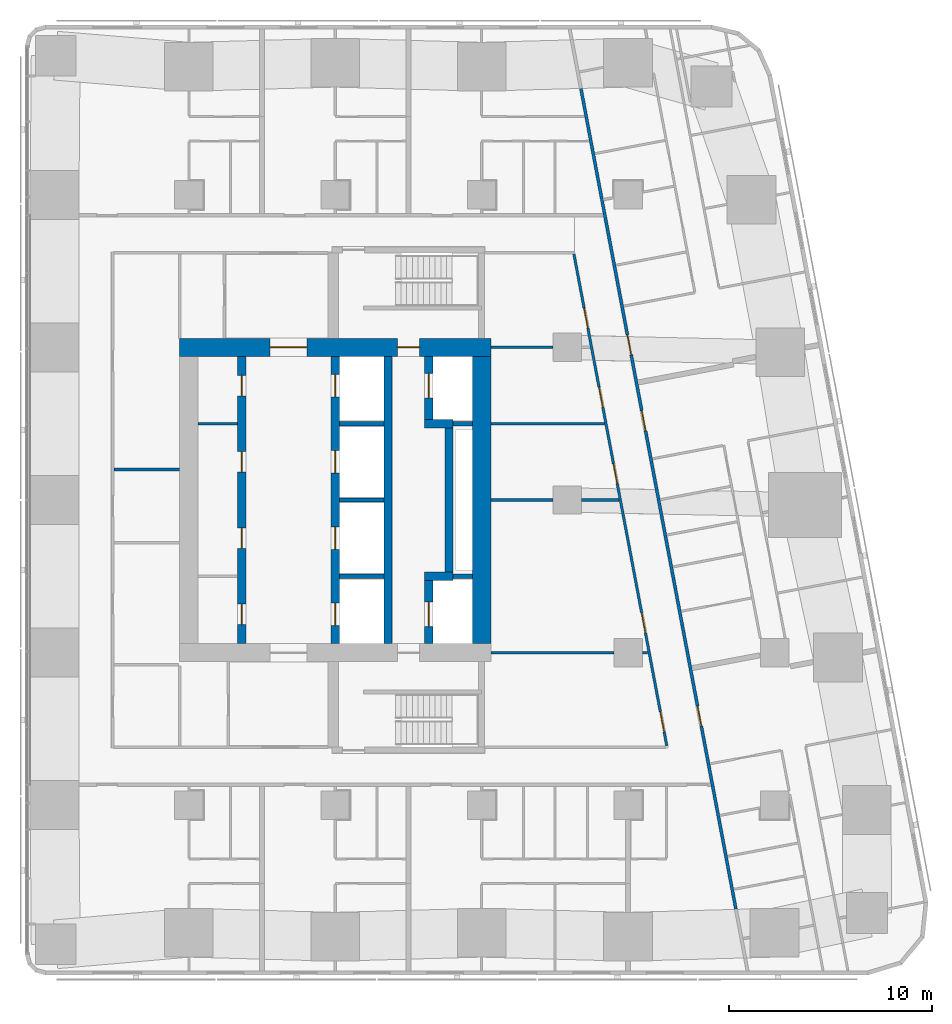
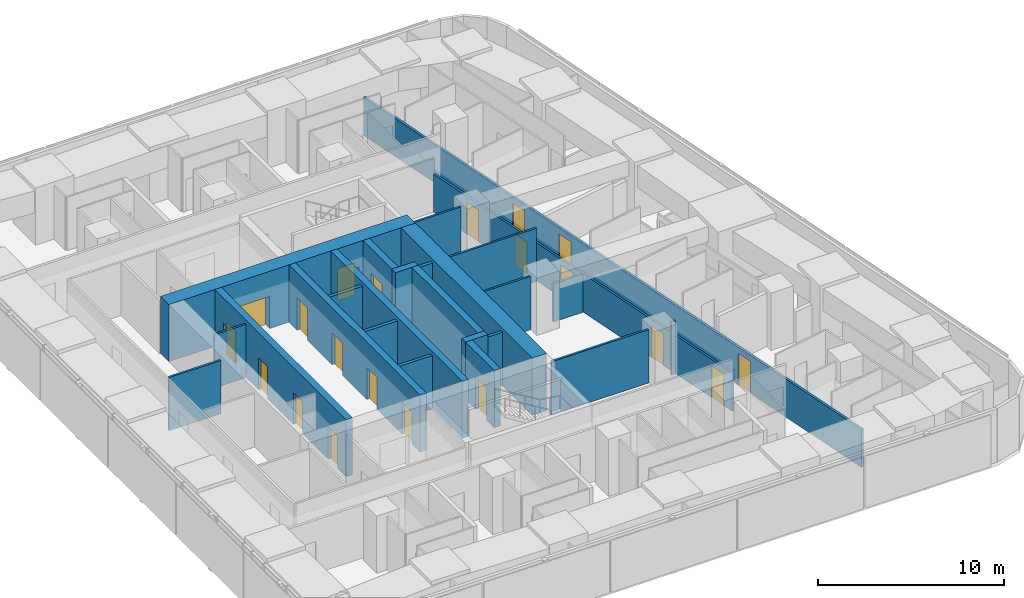
# One storey, part 9 of 17: 25 walls, 20 doors, 20 openings.
"""IFC4 building model written with IfcOpenShell, lengths in metres."""

from ifc_helpers import new_model, si_unit, direction, frame, frame_2d, origin, place, context, subcontext, project, spatial, rectangle, extrude, material, layer, layer_set, type_object, element, fill, save


model = new_model("IFC4")

# Units and contexts
model_context = context("Model", 3, precision=1e-05, world=origin(), true_north=direction((0.0, 1.0)))
body_context = subcontext(model_context, "Body", "Model", "MODEL_VIEW")
ifc_project = project(units=[si_unit("LENGTHUNIT", "METRE"), si_unit("AREAUNIT", "SQUARE_METRE"), si_unit("VOLUMEUNIT", "CUBIC_METRE"), si_unit("PLANEANGLEUNIT", "RADIAN"), si_unit("MASSUNIT", "GRAM", prefix="KILO")], contexts=[model_context])

# Site, building, storey
site_placement = place(None, origin())
site = spatial("IfcSite", under=ifc_project, at=site_placement, CompositionType="ELEMENT")
building_placement = place(site_placement, origin())
building = spatial("IfcBuilding", under=site, at=building_placement, Name="Sheger Commons Tower", CompositionType="ELEMENT")
storey_placement = place(building_placement, frame((0.0, 0.0, 204.949951171875)))
storey = spatial("IfcBuildingStorey", under=building, at=storey_placement, Name="L52", CompositionType="ELEMENT", Elevation=204.949951171875)

# Wall, openings, doors
ifc_material_1 = material(Name="Concrete C50/60", Category="concrete")
ifc_layer_1 = layer(ifc_material_1, 0.39990234375)
ifc_layer_set_1 = layer_set([ifc_layer_1], Name="CORE INNER WALL 400")
wall_type_1 = type_object("IfcWallType", Name="CORE INNER WALL 400", PredefinedType="SHEAR", material=ifc_layer_set_1)
wall_1_placement = place(storey_placement, frame((17.0, 15.449951171875, 0.0), z_axis=(0.0, 0.0, 1.0), x_axis=(0.0, 1.0, 0.0)))
wall_1 = element("IfcWall", 1, at=wall_1_placement, inside=storey, type_object=wall_type_1, Name="Core inner wall A L52", PredefinedType="SHEAR", context=body_context, shape_type="SweptSolid", body=[
    extrude(rectangle(XDim=14.10009765625, YDim=0.39990234375, at=frame_2d((7.050048828125, 0.0))), origin(), (0.0, 0.0, 1.0), 3.75),
])
opening_1_placement = place(wall_1_placement, frame((0.925048828125, 0.0, 0.0)))
opening_1 = element("IfcOpeningElement", 2, at=opening_1_placement, cuts=wall_1, Name="Opening D4", PredefinedType="OPENING", context=body_context, shape_type="SweptSolid", body=[
    extrude(rectangle(XDim=1.0, YDim=2.10009765625, at=frame_2d((0.5, 1.050048828125))), frame((0.0, 0.2099609375, 0.0), z_axis=(0.0, -1.0, 0.0), x_axis=(1.0, 0.0, 0.0)), (0.0, 0.0, 1.0), 0.419921875),
])
opening_2_placement = place(wall_1_placement, frame((4.675048828125, 0.0, 0.0)))
opening_2 = element("IfcOpeningElement", 3, at=opening_2_placement, cuts=wall_1, Name="Opening D4", PredefinedType="OPENING", context=body_context, shape_type="SweptSolid", body=[
    extrude(rectangle(XDim=1.0, YDim=2.10009765625, at=frame_2d((0.5, 1.050048828125))), frame((0.0, 0.2099609375, 0.0), z_axis=(0.0, -1.0, 0.0), x_axis=(1.0, 0.0, 0.0)), (0.0, 0.0, 1.0), 0.419921875),
])
opening_3_placement = place(wall_1_placement, frame((8.425048828125, 0.0, 0.0)))
opening_3 = element("IfcOpeningElement", 4, at=opening_3_placement, cuts=wall_1, Name="Opening D4", PredefinedType="OPENING", context=body_context, shape_type="SweptSolid", body=[
    extrude(rectangle(XDim=1.0, YDim=2.10009765625, at=frame_2d((0.5, 1.050048828125))), frame((0.0, 0.2099609375, 0.0), z_axis=(0.0, -1.0, 0.0), x_axis=(1.0, 0.0, 0.0)), (0.0, 0.0, 1.0), 0.419921875),
])
opening_4_placement = place(wall_1_placement, frame((12.175048828125, 0.0, 0.0)))
opening_4 = element("IfcOpeningElement", 5, at=opening_4_placement, cuts=wall_1, Name="Opening D4", PredefinedType="OPENING", context=body_context, shape_type="SweptSolid", body=[
    extrude(rectangle(XDim=1.0, YDim=2.10009765625, at=frame_2d((0.5, 1.050048828125))), frame((0.0, 0.2099609375, 0.0), z_axis=(0.0, -1.0, 0.0), x_axis=(1.0, 0.0, 0.0)), (0.0, 0.0, 1.0), 0.419921875),
])
ifc_material_2 = material(Name="Steel door set, fire rated", Category="steel")
door_type_1 = type_object("IfcDoorType", Name="SERVICE DOOR 1000x2100", OperationType="NOTDEFINED", PredefinedType="DOOR", material=ifc_material_2)
door_1_placement = place(opening_1_placement, origin())
door_1 = element("IfcDoor", 6, at=door_1_placement, inside=storey, type_object=door_type_1, Name="Staff WC door", OperationType="SINGLE_SWING_LEFT", OverallHeight=2.10009765625, OverallWidth=1.0, PredefinedType="DOOR", context=body_context, shape_type="SweptSolid", body=[
    extrude(rectangle(XDim=1.0, YDim=2.10009765625, at=frame_2d((0.5, 1.050048828125))), frame((0.0, 0.02490234375, 0.0), z_axis=(0.0, -1.0, 0.0), x_axis=(1.0, 0.0, 0.0)), (0.0, 0.0, 1.0), 0.050048828125),
])
fill(opening_1, door_1)
door_2_placement = place(opening_2_placement, origin())
door_2 = element("IfcDoor", 7, at=door_2_placement, inside=storey, type_object=door_type_1, Name="Recycling store door", OperationType="SINGLE_SWING_LEFT", OverallHeight=2.10009765625, OverallWidth=1.0, PredefinedType="DOOR", context=body_context, shape_type="SweptSolid", body=[
    extrude(rectangle(XDim=1.0, YDim=2.10009765625, at=frame_2d((0.5, 1.050048828125))), frame((0.0, 0.02490234375, 0.0), z_axis=(0.0, -1.0, 0.0), x_axis=(1.0, 0.0, 0.0)), (0.0, 0.0, 1.0), 0.050048828125),
])
fill(opening_2, door_2)
door_3_placement = place(opening_3_placement, origin())
door_3 = element("IfcDoor", 8, at=door_3_placement, inside=storey, type_object=door_type_1, Name="Recycling store door", OperationType="SINGLE_SWING_RIGHT", OverallHeight=2.10009765625, OverallWidth=1.0, PredefinedType="DOOR", context=body_context, shape_type="SweptSolid", body=[
    extrude(rectangle(XDim=1.0, YDim=2.10009765625, at=frame_2d((0.5, 1.050048828125))), frame((0.0, 0.02490234375, 0.0), z_axis=(0.0, -1.0, 0.0), x_axis=(1.0, 0.0, 0.0)), (0.0, 0.0, 1.0), 0.050048828125),
])
fill(opening_3, door_3)
door_4_placement = place(opening_4_placement, origin())
door_4 = element("IfcDoor", 9, at=door_4_placement, inside=storey, type_object=door_type_1, Name="IT and telecom room door", OperationType="SINGLE_SWING_RIGHT", OverallHeight=2.10009765625, OverallWidth=1.0, PredefinedType="DOOR", context=body_context, shape_type="SweptSolid", body=[
    extrude(rectangle(XDim=1.0, YDim=2.10009765625, at=frame_2d((0.5, 1.050048828125))), frame((0.0, 0.02490234375, 0.0), z_axis=(0.0, -1.0, 0.0), x_axis=(1.0, 0.0, 0.0)), (0.0, 0.0, 1.0), 0.050048828125),
])
fill(opening_4, door_4)

wall_2_placement = place(storey_placement, frame((21.60009765625, 15.449951171875, 0.0), z_axis=(0.0, 0.0, 1.0), x_axis=(0.0, 1.0, 0.0)))
wall_2 = element("IfcWall", 10, at=wall_2_placement, inside=storey, type_object=wall_type_1, Name="Core inner wall L L52", PredefinedType="SHEAR", context=body_context, shape_type="SweptSolid", body=[
    extrude(rectangle(XDim=14.10009765625, YDim=0.39990234375, at=frame_2d((7.050048828125, 0.0))), origin(), (0.0, 0.0, 1.0), 3.75),
])
opening_5_placement = place(wall_2_placement, frame((0.875, 0.0, 0.0)))
opening_5 = element("IfcOpeningElement", 11, at=opening_5_placement, cuts=wall_2, Name="Opening LD", PredefinedType="OPENING", context=body_context, shape_type="SweptSolid", body=[
    extrude(rectangle(XDim=1.10009765625, YDim=2.10009765625, at=frame_2d((0.550048828125, 1.050048828125))), frame((0.0, 0.2099609375, 0.0), z_axis=(0.0, -1.0, 0.0), x_axis=(1.0, 0.0, 0.0)), (0.0, 0.0, 1.0), 0.419921875),
])
opening_6_placement = place(wall_2_placement, frame((4.625, 0.0, 0.0)))
opening_6 = element("IfcOpeningElement", 12, at=opening_6_placement, cuts=wall_2, Name="Opening LD", PredefinedType="OPENING", context=body_context, shape_type="SweptSolid", body=[
    extrude(rectangle(XDim=1.10009765625, YDim=2.10009765625, at=frame_2d((0.550048828125, 1.050048828125))), frame((0.0, 0.2099609375, 0.0), z_axis=(0.0, -1.0, 0.0), x_axis=(1.0, 0.0, 0.0)), (0.0, 0.0, 1.0), 0.419921875),
])
opening_7_placement = place(wall_2_placement, frame((8.375, 0.0, 0.0)))
opening_7 = element("IfcOpeningElement", 13, at=opening_7_placement, cuts=wall_2, Name="Opening LD", PredefinedType="OPENING", context=body_context, shape_type="SweptSolid", body=[
    extrude(rectangle(XDim=1.10009765625, YDim=2.10009765625, at=frame_2d((0.550048828125, 1.050048828125))), frame((0.0, 0.2099609375, 0.0), z_axis=(0.0, -1.0, 0.0), x_axis=(1.0, 0.0, 0.0)), (0.0, 0.0, 1.0), 0.419921875),
])
opening_8_placement = place(wall_2_placement, frame((12.125, 0.0, 0.0)))
opening_8 = element("IfcOpeningElement", 14, at=opening_8_placement, cuts=wall_2, Name="Opening LD", PredefinedType="OPENING", context=body_context, shape_type="SweptSolid", body=[
    extrude(rectangle(XDim=1.10009765625, YDim=2.10009765625, at=frame_2d((0.550048828125, 1.050048828125))), frame((0.0, 0.2099609375, 0.0), z_axis=(0.0, -1.0, 0.0), x_axis=(1.0, 0.0, 0.0)), (0.0, 0.0, 1.0), 0.419921875),
])
ifc_material_3 = material(Name="Steel door set, fire rated", Category="steel")
door_type_2 = type_object("IfcDoorType", Name="LIFT LANDING DOOR 1100x2100", OperationType="DOUBLE_DOOR_SLIDING", PredefinedType="DOOR", material=ifc_material_3)
door_5_placement = place(opening_5_placement, origin())
door_5 = element("IfcDoor", 15, at=door_5_placement, inside=storey, type_object=door_type_2, Name="Lift LB1 landing door", OperationType="DOUBLE_DOOR_SLIDING", OverallHeight=2.10009765625, OverallWidth=1.10009765625, PredefinedType="DOOR", context=body_context, shape_type="SweptSolid", body=[
    extrude(rectangle(XDim=1.10009765625, YDim=2.10009765625, at=frame_2d((0.550048828125, 1.050048828125))), frame((0.0, 0.02490234375, 0.0), z_axis=(0.0, -1.0, 0.0), x_axis=(1.0, 0.0, 0.0)), (0.0, 0.0, 1.0), 0.050048828125),
])
fill(opening_5, door_5)
door_6_placement = place(opening_6_placement, origin())
door_6 = element("IfcDoor", 16, at=door_6_placement, inside=storey, type_object=door_type_2, Name="Lift LB2 landing door", OperationType="DOUBLE_DOOR_SLIDING", OverallHeight=2.10009765625, OverallWidth=1.10009765625, PredefinedType="DOOR", context=body_context, shape_type="SweptSolid", body=[
    extrude(rectangle(XDim=1.10009765625, YDim=2.10009765625, at=frame_2d((0.550048828125, 1.050048828125))), frame((0.0, 0.02490234375, 0.0), z_axis=(0.0, -1.0, 0.0), x_axis=(1.0, 0.0, 0.0)), (0.0, 0.0, 1.0), 0.050048828125),
])
fill(opening_6, door_6)
door_7_placement = place(opening_7_placement, origin())
door_7 = element("IfcDoor", 17, at=door_7_placement, inside=storey, type_object=door_type_2, Name="Lift LB3 landing door", OperationType="DOUBLE_DOOR_SLIDING", OverallHeight=2.10009765625, OverallWidth=1.10009765625, PredefinedType="DOOR", context=body_context, shape_type="SweptSolid", body=[
    extrude(rectangle(XDim=1.10009765625, YDim=2.10009765625, at=frame_2d((0.550048828125, 1.050048828125))), frame((0.0, 0.02490234375, 0.0), z_axis=(0.0, -1.0, 0.0), x_axis=(1.0, 0.0, 0.0)), (0.0, 0.0, 1.0), 0.050048828125),
])
fill(opening_7, door_7)
door_8_placement = place(opening_8_placement, origin())
door_8 = element("IfcDoor", 18, at=door_8_placement, inside=storey, type_object=door_type_2, Name="Lift LB4 landing door", OperationType="DOUBLE_DOOR_SLIDING", OverallHeight=2.10009765625, OverallWidth=1.10009765625, PredefinedType="DOOR", context=body_context, shape_type="SweptSolid", body=[
    extrude(rectangle(XDim=1.10009765625, YDim=2.10009765625, at=frame_2d((0.550048828125, 1.050048828125))), frame((0.0, 0.02490234375, 0.0), z_axis=(0.0, -1.0, 0.0), x_axis=(1.0, 0.0, 0.0)), (0.0, 0.0, 1.0), 0.050048828125),
])
fill(opening_8, door_8)

# Wall
wall_3_placement = place(storey_placement, frame((24.199951171875, 15.449951171875, 0.0), z_axis=(0.0, 0.0, 1.0), x_axis=(0.0, 1.0, 0.0)))
element("IfcWall", 19, at=wall_3_placement, inside=storey, type_object=wall_type_1, Name="Core inner wall B L52", PredefinedType="SHEAR", context=body_context, shape_type="SweptSolid", body=[
    extrude(rectangle(XDim=14.10009765625, YDim=0.39990234375, at=frame_2d((7.050048828125, 0.0))), origin(), (0.0, 0.0, 1.0), 3.75),
])

# Wall, opening, door
wall_4_placement = place(storey_placement, frame((26.199951171875, 15.449951171875, 0.0), z_axis=(0.0, 0.0, 1.0), x_axis=(0.0, 1.0, 0.0)))
wall_4 = element("IfcWall", 20, at=wall_4_placement, inside=storey, type_object=wall_type_1, Name="Core inner wall F L52", PredefinedType="SHEAR", context=body_context, shape_type="SweptSolid", body=[
    extrude(rectangle(XDim=3.10009765625, YDim=0.39990234375, at=frame_2d((1.550048828125, 0.0))), origin(), (0.0, 0.0, 1.0), 3.75),
])
opening_9_placement = place(wall_4_placement, frame((0.824951171875, 0.0, 0.0)))
opening_9 = element("IfcOpeningElement", 21, at=opening_9_placement, cuts=wall_4, Name="Opening LD2", PredefinedType="OPENING", context=body_context, shape_type="SweptSolid", body=[
    extrude(rectangle(XDim=1.199951171875, YDim=2.10009765625, at=frame_2d((0.60009765625, 1.050048828125))), frame((0.0, 0.2099609375, 0.0), z_axis=(0.0, -1.0, 0.0), x_axis=(1.0, 0.0, 0.0)), (0.0, 0.0, 1.0), 0.419921875),
])
ifc_material_4 = material(Name="Steel door set, fire rated", Category="steel")
door_type_3 = type_object("IfcDoorType", Name="FIREFIGHTING LIFT LANDING DOOR 1200x2100", OperationType="DOUBLE_DOOR_SLIDING", PredefinedType="DOOR", material=ifc_material_4)
door_9_placement = place(opening_9_placement, origin())
door_9 = element("IfcDoor", 22, at=door_9_placement, inside=storey, type_object=door_type_3, Name="Lift FL1 landing door", OperationType="DOUBLE_DOOR_SLIDING", OverallHeight=2.10009765625, OverallWidth=1.199951171875, PredefinedType="DOOR", context=body_context, shape_type="SweptSolid", body=[
    extrude(rectangle(XDim=1.199951171875, YDim=2.10009765625, at=frame_2d((0.60009765625, 1.050048828125))), frame((0.0, 0.02490234375, 0.0), z_axis=(0.0, -1.0, 0.0), x_axis=(1.0, 0.0, 0.0)), (0.0, 0.0, 1.0), 0.050048828125),
])
fill(opening_9, door_9)

# Walls
wall_5_placement = place(storey_placement, frame((26.0, 18.75, 0.0), z_axis=(0.0, 0.0, 1.0), x_axis=(1.0, 0.0, 0.0)))
element("IfcWall", 23, at=wall_5_placement, inside=storey, type_object=wall_type_1, Name="Core inner wall F south return L52", PredefinedType="SHEAR", context=body_context, shape_type="SweptSolid", body=[
    extrude(rectangle(XDim=1.39990234375, YDim=0.39990234375, at=frame_2d((0.699951171875, 0.0))), origin(), (0.0, 0.0, 1.0), 3.75),
])
wall_6_placement = place(storey_placement, frame((27.199951171875, 18.949951171875, 0.0), z_axis=(0.0, 0.0, 1.0), x_axis=(0.0, 1.0, 0.0)))
element("IfcWall", 24, at=wall_6_placement, inside=storey, type_object=wall_type_1, Name="Core inner wall F middle L52", PredefinedType="SHEAR", context=body_context, shape_type="SweptSolid", body=[
    extrude(rectangle(XDim=7.10009765625, YDim=0.39990234375, at=frame_2d((3.550048828125, 0.0))), origin(), (0.0, 0.0, 1.0), 3.75),
])
wall_7_placement = place(storey_placement, frame((26.0, 26.25, 0.0), z_axis=(0.0, 0.0, 1.0), x_axis=(1.0, 0.0, 0.0)))
element("IfcWall", 25, at=wall_7_placement, inside=storey, type_object=wall_type_1, Name="Core inner wall F north return L52", PredefinedType="SHEAR", context=body_context, shape_type="SweptSolid", body=[
    extrude(rectangle(XDim=1.39990234375, YDim=0.39990234375, at=frame_2d((0.699951171875, 0.0))), origin(), (0.0, 0.0, 1.0), 3.75),
])

# Wall, opening, door
wall_8_placement = place(storey_placement, frame((26.199951171875, 26.449951171875, 0.0), z_axis=(0.0, 0.0, 1.0), x_axis=(0.0, 1.0, 0.0)))
wall_8 = element("IfcWall", 26, at=wall_8_placement, inside=storey, type_object=wall_type_1, Name="Core inner wall F north L52", PredefinedType="SHEAR", context=body_context, shape_type="SweptSolid", body=[
    extrude(rectangle(XDim=3.10009765625, YDim=0.39990234375, at=frame_2d((1.550048828125, 0.0))), origin(), (0.0, 0.0, 1.0), 3.75),
])
opening_10_placement = place(wall_8_placement, frame((1.074951171875, 0.0, 0.0)))
opening_10 = element("IfcOpeningElement", 27, at=opening_10_placement, cuts=wall_8, Name="Opening LD2", PredefinedType="OPENING", context=body_context, shape_type="SweptSolid", body=[
    extrude(rectangle(XDim=1.199951171875, YDim=2.10009765625, at=frame_2d((0.60009765625, 1.050048828125))), frame((0.0, 0.2099609375, 0.0), z_axis=(0.0, -1.0, 0.0), x_axis=(1.0, 0.0, 0.0)), (0.0, 0.0, 1.0), 0.419921875),
])
door_10_placement = place(opening_10_placement, origin())
door_10 = element("IfcDoor", 28, at=door_10_placement, inside=storey, type_object=door_type_3, Name="Lift FL2 landing door", OperationType="DOUBLE_DOOR_SLIDING", OverallHeight=2.10009765625, OverallWidth=1.199951171875, PredefinedType="DOOR", context=body_context, shape_type="SweptSolid", body=[
    extrude(rectangle(XDim=1.199951171875, YDim=2.10009765625, at=frame_2d((0.60009765625, 1.050048828125))), frame((0.0, 0.02490234375, 0.0), z_axis=(0.0, -1.0, 0.0), x_axis=(1.0, 0.0, 0.0)), (0.0, 0.0, 1.0), 0.050048828125),
])
fill(opening_10, door_10)

# Wall, openings, doors
ifc_material_5 = material(Name="Concrete C50/60", Category="concrete")
ifc_layer_2 = layer(ifc_material_5, 0.89990234375)
ifc_layer_set_2 = layer_set([ifc_layer_2], Name="CORE WALL 900")
wall_type_2 = type_object("IfcWallType", Name="CORE WALL 900", PredefinedType="SHEAR", material=ifc_layer_set_2)
wall_9_placement = place(storey_placement, frame((13.949951171875, 30.0, 0.0), z_axis=(0.0, 0.0, 1.0), x_axis=(1.0, 0.0, 0.0)))
wall_9 = element("IfcWall", 29, at=wall_9_placement, inside=storey, type_object=wall_type_2, Name="Core wall north L52", PredefinedType="SHEAR", context=body_context, shape_type="SweptSolid", body=[
    extrude(rectangle(XDim=15.300048828125, YDim=0.89990234375, at=frame_2d((7.64990234375, 0.0))), origin(), (0.0, 0.0, 1.0), 3.75),
])
opening_11_placement = place(wall_9_placement, frame((4.449951171875, 0.0, 0.0)))
opening_11 = element("IfcOpeningElement", 30, at=opening_11_placement, cuts=wall_9, Name="Opening D6", PredefinedType="OPENING", context=body_context, shape_type="SweptSolid", body=[
    extrude(rectangle(XDim=1.800048828125, YDim=2.10009765625, at=frame_2d((0.89990234375, 1.050048828125))), frame((0.0, 0.4599609375, 0.0), z_axis=(0.0, -1.0, 0.0), x_axis=(1.0, 0.0, 0.0)), (0.0, 0.0, 1.0), 0.919921875),
])
opening_12_placement = place(wall_9_placement, frame((10.699951171875, 0.0, 0.0)))
opening_12 = element("IfcOpeningElement", 31, at=opening_12_placement, cuts=wall_9, Name="Opening D5", PredefinedType="OPENING", context=body_context, shape_type="SweptSolid", body=[
    extrude(rectangle(XDim=1.10009765625, YDim=2.10009765625, at=frame_2d((0.550048828125, 1.050048828125))), frame((0.0, 0.4599609375, 0.0), z_axis=(0.0, -1.0, 0.0), x_axis=(1.0, 0.0, 0.0)), (0.0, 0.0, 1.0), 0.919921875),
])
ifc_material_6 = material(Name="Steel door set, fire rated", Category="steel")
door_type_4 = type_object("IfcDoorType", Name="LOBBY DOUBLE DOOR 1800x2100", OperationType="DOUBLE_DOOR_SINGLE_SWING", PredefinedType="DOOR", material=ifc_material_6)
door_11_placement = place(opening_11_placement, origin())
door_11 = element("IfcDoor", 32, at=door_11_placement, inside=storey, type_object=door_type_4, Name="Lift lobby door", OperationType="DOUBLE_DOOR_SINGLE_SWING", OverallHeight=2.10009765625, OverallWidth=1.800048828125, PredefinedType="DOOR", context=body_context, shape_type="SweptSolid", body=[
    extrude(rectangle(XDim=1.800048828125, YDim=2.10009765625, at=frame_2d((0.89990234375, 1.050048828125))), frame((0.0, 0.02490234375, 0.0), z_axis=(0.0, -1.0, 0.0), x_axis=(1.0, 0.0, 0.0)), (0.0, 0.0, 1.0), 0.050048828125),
])
fill(opening_11, door_11)
ifc_material_7 = material(Name="Steel door set, fire rated", Category="steel")
door_type_5 = type_object("IfcDoorType", Name="STAIR DOOR 1100x2100", OperationType="NOTDEFINED", PredefinedType="DOOR", material=ifc_material_7)
door_12_placement = place(opening_12_placement, origin())
door_12 = element("IfcDoor", 33, at=door_12_placement, inside=storey, type_object=door_type_5, Name="Fire-fighting lobby door", OperationType="SINGLE_SWING_LEFT", OverallHeight=2.10009765625, OverallWidth=1.10009765625, PredefinedType="DOOR", context=body_context, shape_type="SweptSolid", body=[
    extrude(rectangle(XDim=1.10009765625, YDim=2.10009765625, at=frame_2d((0.550048828125, 1.050048828125))), frame((0.0, 0.02490234375, 0.0), z_axis=(0.0, -1.0, 0.0), x_axis=(1.0, 0.0, 0.0)), (0.0, 0.0, 1.0), 0.050048828125),
])
fill(opening_12, door_12)

# Wall
wall_10_placement = place(storey_placement, frame((28.800048828125, 15.449951171875, 0.0), z_axis=(0.0, 0.0, 1.0), x_axis=(0.0, 1.0, 0.0)))
element("IfcWall", 34, at=wall_10_placement, inside=storey, type_object=wall_type_2, Name="Core wall east L52", PredefinedType="SHEAR", context=body_context, shape_type="SweptSolid", body=[
    extrude(rectangle(XDim=14.10009765625, YDim=0.89990234375, at=frame_2d((7.050048828125, 0.0))), origin(), (0.0, 0.0, 1.0), 3.75),
])

# Wall, openings, doors
ifc_material_8 = material(Name="Hollow concrete block masonry, skimmed both sides", Category="masonry")
ifc_layer_3 = layer(ifc_material_8, 0.14990234375)
ifc_layer_set_3 = layer_set([ifc_layer_3], Name="CORRIDOR WALL 150")
wall_type_3 = type_object("IfcWallType", Name="CORRIDOR WALL 150", PredefinedType="SOLIDWALL", material=ifc_layer_set_3)
wall_11_placement = place(storey_placement, frame((33.679931640625, 42.722900390625, 0.0), z_axis=(0.0, 0.0, 1.0), x_axis=(0.185601160014, -0.982625162207, 0.0)))
wall_11 = element("IfcWall", 35, at=wall_11_placement, inside=storey, type_object=wall_type_3, Name="Corridor wall L52", PredefinedType="SOLIDWALL", context=body_context, shape_type="SweptSolid", body=[
    extrude(rectangle(XDim=41.05126953125, YDim=0.14990234375, at=frame_2d((20.525634765625, 0.0))), origin(), (0.0, 0.0, 1.0), 2.5),
])
opening_13_placement = place(wall_11_placement, frame((12.306884765625, 0.0, 0.0)))
opening_13 = element("IfcOpeningElement", 36, at=opening_13_placement, cuts=wall_11, Name="Opening D1", PredefinedType="OPENING", context=body_context, shape_type="SweptSolid", body=[
    extrude(rectangle(XDim=1.0, YDim=2.10009765625, at=frame_2d((0.5, 1.050048828125))), frame((0.0, 0.0849609375, 0.0), z_axis=(0.0, -1.0, 0.0), x_axis=(1.0, 0.0, 0.0)), (0.0, 0.0, 1.0), 0.169921875),
])
opening_14_placement = place(wall_11_placement, frame((16.123046875, 0.0, 0.0)))
opening_14 = element("IfcOpeningElement", 37, at=opening_14_placement, cuts=wall_11, Name="Opening D1", PredefinedType="OPENING", context=body_context, shape_type="SweptSolid", body=[
    extrude(rectangle(XDim=1.0, YDim=2.10009765625, at=frame_2d((0.5, 1.050048828125))), frame((0.0, 0.0849609375, 0.0), z_axis=(0.0, -1.0, 0.0), x_axis=(1.0, 0.0, 0.0)), (0.0, 0.0, 1.0), 0.169921875),
])
opening_15_placement = place(wall_11_placement, frame((30.902099609375, 0.0, 0.0)))
opening_15 = element("IfcOpeningElement", 38, at=opening_15_placement, cuts=wall_11, Name="Opening D1", PredefinedType="OPENING", context=body_context, shape_type="SweptSolid", body=[
    extrude(rectangle(XDim=1.0, YDim=2.10009765625, at=frame_2d((0.5, 1.050048828125))), frame((0.0, 0.0849609375, 0.0), z_axis=(0.0, -1.0, 0.0), x_axis=(1.0, 0.0, 0.0)), (0.0, 0.0, 1.0), 0.169921875),
])
ifc_material_9 = material(Name="Steel door set, fire rated", Category="steel")
door_type_6 = type_object("IfcDoorType", Name="FLAT ENTRANCE DOOR 1000x2100", OperationType="NOTDEFINED", PredefinedType="DOOR", material=ifc_material_9)
door_13_placement = place(opening_13_placement, origin())
door_13 = element("IfcDoor", 39, at=door_13_placement, inside=storey, type_object=door_type_6, Name="Flat entrance door", OperationType="SINGLE_SWING_LEFT", OverallHeight=2.10009765625, OverallWidth=1.0, PredefinedType="DOOR", context=body_context, shape_type="SweptSolid", body=[
    extrude(rectangle(XDim=1.0, YDim=2.10009765625, at=frame_2d((0.5, 1.050048828125))), frame((0.0, 0.02490234375, 0.0), z_axis=(0.0, -1.0, 0.0), x_axis=(1.0, 0.0, 0.0)), (0.0, 0.0, 1.0), 0.050048828125),
])
fill(opening_13, door_13)
door_14_placement = place(opening_14_placement, origin())
door_14 = element("IfcDoor", 40, at=door_14_placement, inside=storey, type_object=door_type_6, Name="Flat entrance door", OperationType="SINGLE_SWING_RIGHT", OverallHeight=2.10009765625, OverallWidth=1.0, PredefinedType="DOOR", context=body_context, shape_type="SweptSolid", body=[
    extrude(rectangle(XDim=1.0, YDim=2.10009765625, at=frame_2d((0.5, 1.050048828125))), frame((0.0, 0.02490234375, 0.0), z_axis=(0.0, -1.0, 0.0), x_axis=(1.0, 0.0, 0.0)), (0.0, 0.0, 1.0), 0.050048828125),
])
fill(opening_14, door_14)
door_15_placement = place(opening_15_placement, origin())
door_15 = element("IfcDoor", 41, at=door_15_placement, inside=storey, type_object=door_type_6, Name="Flat entrance door", OperationType="SINGLE_SWING_LEFT", OverallHeight=2.10009765625, OverallWidth=1.0, PredefinedType="DOOR", context=body_context, shape_type="SweptSolid", body=[
    extrude(rectangle(XDim=1.0, YDim=2.10009765625, at=frame_2d((0.5, 1.050048828125))), frame((0.0, 0.02490234375, 0.0), z_axis=(0.0, -1.0, 0.0), x_axis=(1.0, 0.0, 0.0)), (0.0, 0.0, 1.0), 0.050048828125),
])
fill(opening_15, door_15)

# Wall
ifc_material_10 = material(Name="Gypsum board on steel studs, two layers each side, fire rated", Category="steel")
ifc_layer_4 = layer(ifc_material_10, 0.125)
ifc_layer_set_4 = layer_set([ifc_layer_4], Name="SERVICE WALL 125")
wall_type_4 = type_object("IfcWallType", Name="SERVICE WALL 125", PredefinedType="PARTITIONING", material=ifc_layer_set_4)
wall_12_placement = place(storey_placement, frame((10.712890625, 24.0, 0.0), z_axis=(0.0, 0.0, 1.0), x_axis=(1.0, 0.0, 0.0)))
element("IfcWall", 42, at=wall_12_placement, inside=storey, type_object=wall_type_4, Name="Service room wall L52", PredefinedType="PARTITIONING", context=body_context, shape_type="SweptSolid", body=[
    extrude(rectangle(XDim=3.237060546875, YDim=0.125, at=frame_2d((1.61865234375, 0.0))), origin(), (0.0, 0.0, 1.0), 3.5),
])

# Wall, openings, doors
wall_13_placement = place(storey_placement, frame((37.89990234375, 10.4130859375, 0.0), z_axis=(0.0, 0.0, 1.0), x_axis=(-0.185589740669, 0.982627319058, 0.0)))
wall_13 = element("IfcWall", 43, at=wall_13_placement, inside=storey, type_object=wall_type_4, Name="Service room wall L52", PredefinedType="PARTITIONING", context=body_context, shape_type="SweptSolid", body=[
    extrude(rectangle(XDim=24.602294921875, YDim=0.125, at=frame_2d((12.30126953125, 0.0))), origin(), (0.0, 0.0, 1.0), 2.5),
])
opening_16_placement = place(wall_13_placement, frame((0.7080078125, 0.0, 0.0)))
opening_16 = element("IfcOpeningElement", 44, at=opening_16_placement, cuts=wall_13, Name="Opening D4", PredefinedType="OPENING", context=body_context, shape_type="SweptSolid", body=[
    extrude(rectangle(XDim=1.0, YDim=2.10009765625, at=frame_2d((0.5, 1.050048828125))), frame((0.0, 0.072509765625, 0.0), z_axis=(0.0, -1.0, 0.0), x_axis=(1.0, 0.0, 0.0)), (0.0, 0.0, 1.0), 0.14501953125),
])
opening_17_placement = place(wall_13_placement, frame((5.64990234375, 0.0, 0.0)))
opening_17 = element("IfcOpeningElement", 45, at=opening_17_placement, cuts=wall_13, Name="Opening D4", PredefinedType="OPENING", context=body_context, shape_type="SweptSolid", body=[
    extrude(rectangle(XDim=1.0, YDim=2.10009765625, at=frame_2d((0.5, 1.050048828125))), frame((0.0, 0.072509765625, 0.0), z_axis=(0.0, -1.0, 0.0), x_axis=(1.0, 0.0, 0.0)), (0.0, 0.0, 1.0), 0.14501953125),
])
opening_18_placement = place(wall_13_placement, frame((13.1240234375, 0.0, 0.0)))
opening_18 = element("IfcOpeningElement", 46, at=opening_18_placement, cuts=wall_13, Name="Opening D4", PredefinedType="OPENING", context=body_context, shape_type="SweptSolid", body=[
    extrude(rectangle(XDim=1.0, YDim=2.10009765625, at=frame_2d((0.5, 1.050048828125))), frame((0.0, 0.072509765625, 0.0), z_axis=(0.0, -1.0, 0.0), x_axis=(1.0, 0.0, 0.0)), (0.0, 0.0, 1.0), 0.14501953125),
])
opening_19_placement = place(wall_13_placement, frame((16.93994140625, 0.0, 0.0)))
opening_19 = element("IfcOpeningElement", 47, at=opening_19_placement, cuts=wall_13, Name="Opening D4", PredefinedType="OPENING", context=body_context, shape_type="SweptSolid", body=[
    extrude(rectangle(XDim=1.0, YDim=2.10009765625, at=frame_2d((0.5, 1.050048828125))), frame((0.0, 0.072509765625, 0.0), z_axis=(0.0, -1.0, 0.0), x_axis=(1.0, 0.0, 0.0)), (0.0, 0.0, 1.0), 0.14501953125),
])
opening_20_placement = place(wall_13_placement, frame((20.89990234375, 0.0, 0.0)))
opening_20 = element("IfcOpeningElement", 48, at=opening_20_placement, cuts=wall_13, Name="Opening D4", PredefinedType="OPENING", context=body_context, shape_type="SweptSolid", body=[
    extrude(rectangle(XDim=1.0, YDim=2.10009765625, at=frame_2d((0.5, 1.050048828125))), frame((0.0, 0.072509765625, 0.0), z_axis=(0.0, -1.0, 0.0), x_axis=(1.0, 0.0, 0.0)), (0.0, 0.0, 1.0), 0.14501953125),
])
door_16_placement = place(opening_16_placement, origin())
door_16 = element("IfcDoor", 49, at=door_16_placement, inside=storey, type_object=door_type_1, Name="Residents' meeting room door", OperationType="SINGLE_SWING_LEFT", OverallHeight=2.10009765625, OverallWidth=1.0, PredefinedType="DOOR", context=body_context, shape_type="SweptSolid", body=[
    extrude(rectangle(XDim=1.0, YDim=2.10009765625, at=frame_2d((0.5, 1.050048828125))), frame((0.0, 0.02490234375, 0.0), z_axis=(0.0, -1.0, 0.0), x_axis=(1.0, 0.0, 0.0)), (0.0, 0.0, 1.0), 0.050048828125),
])
fill(opening_16, door_16)
door_17_placement = place(opening_17_placement, origin())
door_17 = element("IfcDoor", 50, at=door_17_placement, inside=storey, type_object=door_type_1, Name="Children's play room door", OperationType="SINGLE_SWING_LEFT", OverallHeight=2.10009765625, OverallWidth=1.0, PredefinedType="DOOR", context=body_context, shape_type="SweptSolid", body=[
    extrude(rectangle(XDim=1.0, YDim=2.10009765625, at=frame_2d((0.5, 1.050048828125))), frame((0.0, 0.02490234375, 0.0), z_axis=(0.0, -1.0, 0.0), x_axis=(1.0, 0.0, 0.0)), (0.0, 0.0, 1.0), 0.050048828125),
])
fill(opening_17, door_17)
door_18_placement = place(opening_18_placement, origin())
door_18 = element("IfcDoor", 51, at=door_18_placement, inside=storey, type_object=door_type_1, Name="Caretaker's store door", OperationType="SINGLE_SWING_LEFT", OverallHeight=2.10009765625, OverallWidth=1.0, PredefinedType="DOOR", context=body_context, shape_type="SweptSolid", body=[
    extrude(rectangle(XDim=1.0, YDim=2.10009765625, at=frame_2d((0.5, 1.050048828125))), frame((0.0, 0.02490234375, 0.0), z_axis=(0.0, -1.0, 0.0), x_axis=(1.0, 0.0, 0.0)), (0.0, 0.0, 1.0), 0.050048828125),
])
fill(opening_18, door_18)
door_19_placement = place(opening_19_placement, origin())
door_19 = element("IfcDoor", 52, at=door_19_placement, inside=storey, type_object=door_type_1, Name="Residents' store door", OperationType="SINGLE_SWING_LEFT", OverallHeight=2.10009765625, OverallWidth=1.0, PredefinedType="DOOR", context=body_context, shape_type="SweptSolid", body=[
    extrude(rectangle(XDim=1.0, YDim=2.10009765625, at=frame_2d((0.5, 1.050048828125))), frame((0.0, 0.02490234375, 0.0), z_axis=(0.0, -1.0, 0.0), x_axis=(1.0, 0.0, 0.0)), (0.0, 0.0, 1.0), 0.050048828125),
])
fill(opening_19, door_19)
door_20_placement = place(opening_20_placement, origin())
door_20 = element("IfcDoor", 53, at=door_20_placement, inside=storey, type_object=door_type_1, Name="Parcel and delivery room door", OperationType="SINGLE_SWING_LEFT", OverallHeight=2.10009765625, OverallWidth=1.0, PredefinedType="DOOR", context=body_context, shape_type="SweptSolid", body=[
    extrude(rectangle(XDim=1.0, YDim=2.10009765625, at=frame_2d((0.5, 1.050048828125))), frame((0.0, 0.02490234375, 0.0), z_axis=(0.0, -1.0, 0.0), x_axis=(1.0, 0.0, 0.0)), (0.0, 0.0, 1.0), 0.050048828125),
])
fill(opening_20, door_20)

# Walls
wall_14_placement = place(storey_placement, frame((29.25, 15.0, 0.0), z_axis=(0.0, 0.0, 1.0), x_axis=(1.0, 0.0, 0.0)))
element("IfcWall", 54, at=wall_14_placement, inside=storey, type_object=wall_type_4, Name="Service room wall L52", PredefinedType="PARTITIONING", context=body_context, shape_type="SweptSolid", body=[
    extrude(rectangle(XDim=6.049072265625, YDim=0.125, at=frame_2d((3.0244140625, 0.0))), origin(), (0.0, 0.0, 1.0), 3.5),
])
wall_15_placement = place(storey_placement, frame((36.700927734375, 15.0, 0.0), z_axis=(0.0, 0.0, 1.0), x_axis=(1.0, 0.0, 0.0)))
element("IfcWall", 55, at=wall_15_placement, inside=storey, type_object=wall_type_4, Name="Service room wall L52", PredefinedType="PARTITIONING", context=body_context, shape_type="SweptSolid", body=[
    extrude(rectangle(XDim=0.257080078125, YDim=0.125, at=frame_2d((0.12841796875, 0.0))), origin(), (0.0, 0.0, 1.0), 3.5),
])
wall_16_placement = place(storey_placement, frame((29.25, 22.5, 0.0), z_axis=(0.0, 0.0, 1.0), x_axis=(1.0, 0.0, 0.0)))
element("IfcWall", 56, at=wall_16_placement, inside=storey, type_object=wall_type_4, Name="Service room wall L52", PredefinedType="PARTITIONING", context=body_context, shape_type="SweptSolid", body=[
    extrude(rectangle(XDim=3.049072265625, YDim=0.125, at=frame_2d((1.5244140625, 0.0))), origin(), (0.0, 0.0, 1.0), 3.5),
])
wall_17_placement = place(storey_placement, frame((33.700927734375, 22.5, 0.0), z_axis=(0.0, 0.0, 1.0), x_axis=(1.0, 0.0, 0.0)))
element("IfcWall", 57, at=wall_17_placement, inside=storey, type_object=wall_type_4, Name="Service room wall L52", PredefinedType="PARTITIONING", context=body_context, shape_type="SweptSolid", body=[
    extrude(rectangle(XDim=1.841064453125, YDim=0.125, at=frame_2d((0.92041015625, 0.0))), origin(), (0.0, 0.0, 1.0), 2.5),
])
wall_18_placement = place(storey_placement, frame((29.25, 26.25, 0.0), z_axis=(0.0, 0.0, 1.0), x_axis=(1.0, 0.0, 0.0)))
element("IfcWall", 58, at=wall_18_placement, inside=storey, type_object=wall_type_4, Name="Service room wall L52", PredefinedType="PARTITIONING", context=body_context, shape_type="SweptSolid", body=[
    extrude(rectangle(XDim=5.5830078125, YDim=0.125, at=frame_2d((2.79150390625, 0.0))), origin(), (0.0, 0.0, 1.0), 3.5),
])
wall_19_placement = place(storey_placement, frame((29.25, 30.0, 0.0), z_axis=(0.0, 0.0, 1.0), x_axis=(1.0, 0.0, 0.0)))
element("IfcWall", 59, at=wall_19_placement, inside=storey, type_object=wall_type_4, Name="Service room wall L52", PredefinedType="PARTITIONING", context=body_context, shape_type="SweptSolid", body=[
    extrude(rectangle(XDim=3.049072265625, YDim=0.125, at=frame_2d((1.5244140625, 0.0))), origin(), (0.0, 0.0, 1.0), 3.5),
])
wall_20_placement = place(storey_placement, frame((14.85009765625, 26.25, 0.0), z_axis=(0.0, 0.0, 1.0), x_axis=(1.0, 0.0, 0.0)))
element("IfcWall", 60, at=wall_20_placement, inside=storey, type_object=wall_type_4, Name="Service room wall L52", PredefinedType="PARTITIONING", context=body_context, shape_type="SweptSolid", body=[
    extrude(rectangle(XDim=1.949951171875, YDim=0.125, at=frame_2d((0.97509765625, 0.0))), origin(), (0.0, 0.0, 1.0), 3.5),
])
ifc_material_11 = material(Name="Hollow concrete block masonry", Category="masonry")
ifc_layer_5 = layer(ifc_material_11, 0.199951171875)
ifc_layer_set_5 = layer_set([ifc_layer_5], Name="SHAFT WALL 200")
wall_type_5 = type_object("IfcWallType", Name="SHAFT WALL 200", PredefinedType="SOLIDWALL", material=ifc_layer_set_5)
for number, where, z_axis, x_axis, name in (
    (61, (21.800048828125, 18.75, 0.0), (0.0, 0.0, 1.0), (1.0, 0.0, 0.0), "Lift shaft wall L52"),
    (62, (21.800048828125, 22.5, 0.0), (0.0, 0.0, 1.0), (1.0, 0.0, 0.0), "Lift shaft wall L52"),
    (63, (21.800048828125, 26.25, 0.0), (0.0, 0.0, 1.0), (1.0, 0.0, 0.0), "Lift shaft wall L52"),
):
    element("IfcWall", number, at=place(storey_placement, frame(where, z_axis=z_axis, x_axis=x_axis)), inside=storey, type_object=wall_type_5, Name=name, PredefinedType="SOLIDWALL", context=body_context, shape_type="SweptSolid", body=[
        extrude(rectangle(XDim=2.199951171875, YDim=0.199951171875, at=frame_2d((1.10009765625, 0.0))), origin(), (0.0, 0.0, 1.0), 3.5),
    ])
for number, where, z_axis, x_axis, name in (
    (64, (27.39990234375, 18.75, 0.0), (0.0, 0.0, 1.0), (1.0, 0.0, 0.0), "Lift shaft wall L52"),
    (65, (27.39990234375, 26.25, 0.0), (0.0, 0.0, 1.0), (1.0, 0.0, 0.0), "Lift shaft wall L52"),
):
    element("IfcWall", number, at=place(storey_placement, frame(where, z_axis=z_axis, x_axis=x_axis)), inside=storey, type_object=wall_type_5, Name=name, PredefinedType="SOLIDWALL", context=body_context, shape_type="SweptSolid", body=[
        extrude(rectangle(XDim=0.9501953125, YDim=0.199951171875, at=frame_2d((0.47509765625, 0.0))), origin(), (0.0, 0.0, 1.0), 3.5),
    ])

save(model, "model.ifc")
